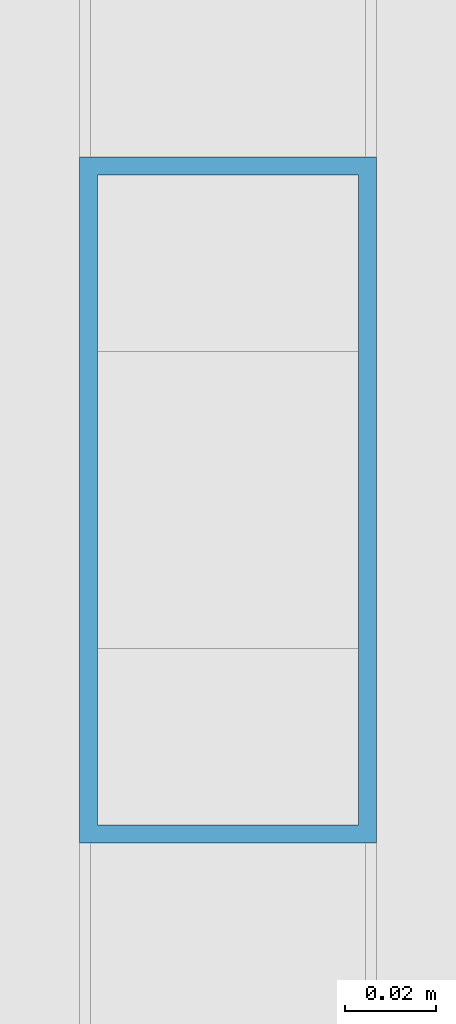
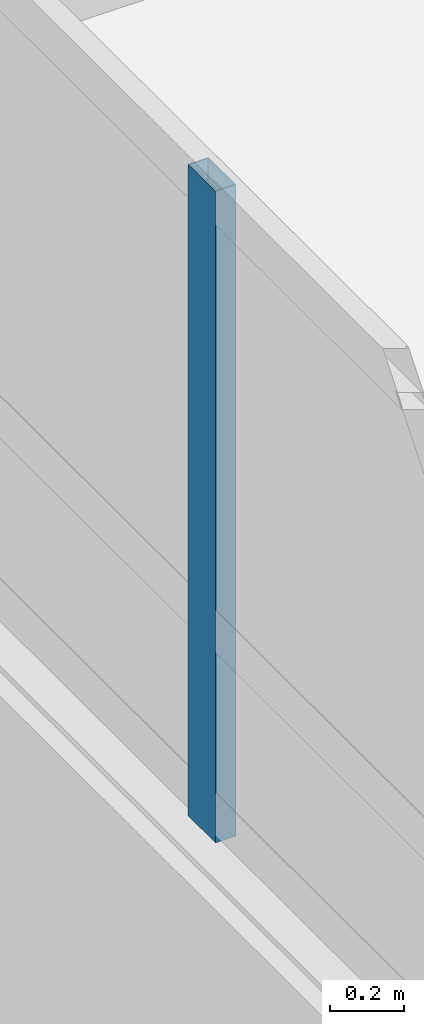
# One storey, part 43 of 130: 1 member, 1 element without a shape of its own.
"""IFC4 building model written with IfcOpenShell, lengths in metres."""

import ifcopenshell
import ifcopenshell.guid

model = None  # the IFC model being written
_history = None  # IfcOwnerHistory: only IFC2X3 demands one
_inside = {}  # id of a spatial element -> (the spatial element, [elements in it])
_under = {}  # id of a project, library or spatial element -> (it, [spatial elements below it])
_declared = {}  # id of a project -> (the project, [libraries it declares])
_typed = {}  # id of a type object -> (the type object, [elements of that type])
_made_of = {}  # id of a material, layer set ... -> (it, [elements and type objects made of it])


def new_model(schema):
    """Start an empty IFC model of exactly this schema.

    Asked for "IFC4X3", IfcOpenShell would pick the latest addendum, in which some entities
    have other attributes; the version numbers below select the first issue.
    IFC2X3 requires an IfcOwnerHistory on every rooted entity: one is made here for all.
    """
    global model, _history
    if schema == "IFC4X3":
        model = ifcopenshell.file(schema_version=(4, 3, 0, 0))
    else:
        model = ifcopenshell.file(schema=schema)
    _inside.clear()
    _under.clear()
    _declared.clear()
    _typed.clear()
    _made_of.clear()
    _history = None
    if model.schema == "IFC2X3":
        org = make("IfcOrganization", Name="unknown")
        user = make(
            "IfcPersonAndOrganization",
            ThePerson=make("IfcPerson", FamilyName="unknown"),
            TheOrganization=org,
        )
        app = make(
            "IfcApplication",
            ApplicationDeveloper=org,
            Version="unknown",
            ApplicationFullName="unknown",
            ApplicationIdentifier="unknown",
        )
        _history = make(
            "IfcOwnerHistory",
            OwningUser=user,
            OwningApplication=app,
            ChangeAction="ADDED",
            CreationDate=0,
        )
    return model


def make(cls, **values):
    """One entity of the class cls with the attributes given. An attribute that is None is left unset."""
    return model.create_entity(
        cls, **{name: value for name, value in values.items() if value is not None}
    )


def rooted(cls, **values):
    """An entity with a GlobalId (a new one), such as an element, a storey or a relation."""
    return make(cls, GlobalId=ifcopenshell.guid.new(), OwnerHistory=_history, **values)


def si_unit(unit_type, name, prefix=None):
    """IfcSIUnit, for example si_unit("LENGTHUNIT", "METRE", prefix="MILLI")."""
    return make("IfcSIUnit", UnitType=unit_type, Prefix=prefix, Name=name)


def assignment(units):
    """IfcUnitAssignment: the units of a project."""
    return None if units is None else make("IfcUnitAssignment", Units=units)


def point(xyz):
    """IfcCartesianPoint."""
    return None if xyz is None else make("IfcCartesianPoint", Coordinates=xyz)


def direction(xyz):
    """IfcDirection."""
    return None if xyz is None else make("IfcDirection", DirectionRatios=xyz)


def frame(location, z_axis=None, x_axis=None):
    """IfcAxis2Placement3D, a coordinate frame: its origin and axes. An axis left out is left unset."""
    return make(
        "IfcAxis2Placement3D",
        Location=point(location),
        Axis=direction(z_axis),
        RefDirection=direction(x_axis),
    )


def frame_2d(location, x_axis=None):
    """IfcAxis2Placement2D, a coordinate frame in the plane: its origin and x axis."""
    return make(
        "IfcAxis2Placement2D", Location=point(location), RefDirection=direction(x_axis)
    )


def origin():
    """The frame at (0, 0, 0) with its axes left unset."""
    return frame((0.0, 0.0, 0.0))


def origin_2d():
    """The frame at (0, 0) in the plane with its x axis left unset."""
    return frame_2d((0.0, 0.0))


def place(relative_to, where):
    """IfcLocalPlacement: puts the frame where relative to a parent placement (None: the world)."""
    return make(
        "IfcLocalPlacement", PlacementRelTo=relative_to, RelativePlacement=where
    )


def context(
    kind, dimensions, precision=None, world=None, true_north=None, identifier=None
):
    """IfcGeometricRepresentationContext, for example the 3D "Model" context."""
    return make(
        "IfcGeometricRepresentationContext",
        ContextIdentifier=identifier,
        ContextType=kind,
        CoordinateSpaceDimension=dimensions,
        Precision=precision,
        WorldCoordinateSystem=world,
        TrueNorth=true_north,
    )


def subcontext(parent, identifier, kind, view, scale=None):
    """IfcGeometricRepresentationSubContext, for example "Body" below "Model"."""
    return make(
        "IfcGeometricRepresentationSubContext",
        ContextIdentifier=identifier,
        ContextType=kind,
        ParentContext=parent,
        TargetScale=scale,
        TargetView=view,
    )


def project(units=None, contexts=None):
    """IfcProject with its units and contexts."""
    return rooted(
        "IfcProject",
        Name="project",
        RepresentationContexts=contexts,
        UnitsInContext=assignment(units),
    )


def spatial(cls, under=None, at=None, **own):
    """A site, building, storey or space (cls), placed at a placement, below another one or the project."""
    s = rooted(cls, ObjectPlacement=at, **own)
    if under is not None:
        _under.setdefault(under.id(), (under, []))[1].append(s)
    return s


def profile(cls, at=None, kind="AREA", **sizes):
    """A parametric profile (cls). Its sizes go by their IFC names, for example OverallWidth=200.0."""
    return make(cls, ProfileType=kind, Position=at, **sizes)


def hollow_rectangle(**sizes):
    """IfcRectangleHollowProfileDef."""
    return profile("IfcRectangleHollowProfileDef", **sizes)


def extrude(swept, where, along, depth):
    """IfcExtrudedAreaSolid: the profile swept, set in the frame where, extruded along a direction by depth."""
    return make(
        "IfcExtrudedAreaSolid",
        SweptArea=swept,
        Position=where,
        ExtrudedDirection=direction(along),
        Depth=depth,
    )


def shape(context_of_items, identifier, shape_type, items):
    """IfcShapeRepresentation: the items that make up one representation, for example the "Body"."""
    return make(
        "IfcShapeRepresentation",
        ContextOfItems=context_of_items,
        RepresentationIdentifier=identifier,
        RepresentationType=shape_type,
        Items=items,
    )


def material(Name=None, Category=None):
    """IfcMaterial."""
    return make("IfcMaterial", Name=Name, Category=Category)


def layer(
    of_material, thickness, ventilated=None, Name=None, Category=None, Priority=None
):
    """IfcMaterialLayer: one layer of a wall or slab, of a material (None: an air gap)."""
    return make(
        "IfcMaterialLayer",
        Material=of_material,
        LayerThickness=thickness,
        IsVentilated=ventilated,
        Name=Name,
        Category=Category,
        Priority=Priority,
    )


def layer_set(layers, Name=None):
    """IfcMaterialLayerSet."""
    return make("IfcMaterialLayerSet", MaterialLayers=layers, LayerSetName=Name)


def material_profile(
    of_material, cross_section, Name=None, Category=None, Priority=None
):
    """IfcMaterialProfile: a cross section and its material."""
    return make(
        "IfcMaterialProfile",
        Name=Name,
        Material=of_material,
        Profile=cross_section,
        Priority=Priority,
        Category=Category,
    )


def profile_set(profiles, Name=None, composite=None):
    """IfcMaterialProfileSet."""
    return make(
        "IfcMaterialProfileSet",
        Name=Name,
        MaterialProfiles=profiles,
        CompositeProfile=composite,
    )


def made_of(thing, what):
    """Note that an element or type object is made of a material, layer set ...; save() writes the relation."""
    if what is not None:
        _made_of.setdefault(what.id(), (what, []))[1].append(thing)
    return thing


def type_object(cls, material=None, **own):
    """A type object (cls), such as IfcWallType, which elements share."""
    return made_of(rooted(cls, **own), material)


def element(
    cls,
    number,
    at=None,
    inside=None,
    cuts=None,
    type_object=None,
    material=None,
    context=None,
    identifier="Body",
    shape_type=None,
    held_by="IfcProductDefinitionShape",
    body=None,
    shapes=None,
    **own,
):
    """One element of the class cls, such as IfcWall. Its Tag is "e" and its number.

    at: its placement. inside: the storey or other place that contains it. cuts: it is an
    opening in that element (IfcRelVoidsElement). A single representation is given by context,
    identifier, shape_type and body (its items); several are given by shapes. held_by: the class
    of the entity that holds the representations. save() writes the other relations.
    """
    e = rooted(cls, Tag="e%d" % number, ObjectPlacement=at, **own)
    if body is not None:
        shapes = [shape(context, identifier, shape_type, body)]
    if shapes is not None:
        e.Representation = make(held_by, Representations=shapes)
    if inside is not None:
        _inside.setdefault(inside.id(), (inside, []))[1].append(e)
    if cuts is not None:
        rooted(
            "IfcRelVoidsElement", RelatingBuildingElement=cuts, RelatedOpeningElement=e
        )
    if type_object is not None:
        _typed.setdefault(type_object.id(), (type_object, []))[1].append(e)
    return made_of(e, material)


def aggregate(whole, parts):
    """IfcRelAggregates: a whole, such as a stair, and the parts it consists of."""
    return rooted("IfcRelAggregates", RelatingObject=whole, RelatedObjects=parts)


def save(model, path):
    """Write the relations noted so far, then the file.

    IfcRelAggregates (storeys below a building ...), IfcRelContainedInSpatialStructure (elements
    in a storey), IfcRelDefinesByType, IfcRelAssociatesMaterial and IfcRelDeclares: one each for
    every whole, place, type object, material and project.
    """
    for whole, parts in _under.values():
        aggregate(whole, parts)
    for where, things in _inside.values():
        rooted(
            "IfcRelContainedInSpatialStructure",
            RelatedElements=things,
            RelatingStructure=where,
        )
    for kind, things in _typed.values():
        rooted("IfcRelDefinesByType", RelatedObjects=things, RelatingType=kind)
    for what, things in _made_of.values():
        rooted("IfcRelAssociatesMaterial", RelatedObjects=things, RelatingMaterial=what)
    for by, libraries in _declared.values():
        rooted("IfcRelDeclares", RelatingContext=by, RelatedDefinitions=libraries)
    model.write(path)


model = new_model("IFC4")

# Units and contexts
model_context = context("Model", 3, precision=1e-05, world=origin(), true_north=direction((0.0, 1.0)))
body_context = subcontext(model_context, "Body", "Model", "MODEL_VIEW")
ifc_project = project(units=[si_unit("LENGTHUNIT", "METRE"), si_unit("AREAUNIT", "SQUARE_METRE"), si_unit("VOLUMEUNIT", "CUBIC_METRE"), si_unit("PLANEANGLEUNIT", "RADIAN"), si_unit("MASSUNIT", "GRAM", prefix="KILO")], contexts=[model_context])

# Site, building, storey
site_placement = place(None, origin())
site = spatial("IfcSite", under=ifc_project, at=site_placement, CompositionType="ELEMENT")
building_placement = place(site_placement, origin())
building = spatial("IfcBuilding", under=site, at=building_placement, Name="Vireocrest Preparatory School", CompositionType="ELEMENT")
storey_placement = place(building_placement, frame((0.0, 0.0, 9.0)))
storey = spatial("IfcBuildingStorey", under=building, at=storey_placement, Name="L02", CompositionType="ELEMENT", Elevation=9.0)

# Curtain wall, member
ifc_material = material(Name="Thermally broken aluminium EN AW-6063-T6", Category="aluminium")
ifc_layer = layer(ifc_material, 0.179931640625)
ifc_layer_set = layer_set([ifc_layer], Name="Thermally broken aluminium EN AW-6063-T6")
curtain_wall_type = type_object("IfcCurtainWallType", Name="Court Banded Curtain Wall 8400x3000", PredefinedType="USERDEFINED", material=ifc_layer_set)
curtain_wall_placement = place(storey_placement, origin())
curtain_wall = element("IfcCurtainWall", 1, at=curtain_wall_placement, inside=storey, type_object=curtain_wall_type, Name="Curtain Wall CW02 CW_L02_CW02_0924_0693_102", ObjectType="CURTAIN WALL", PredefinedType="USERDEFINED")
ifc_material_profile = material_profile(ifc_material, hollow_rectangle(XDim=0.06494140625, YDim=0.14990234375, WallThickness=0.00390625, at=origin_2d()), Name="ALU 65x150x4")
ifc_profile_set = profile_set([ifc_material_profile], Name="Thermally broken aluminium EN AW-6063-T6")
member_type = type_object("IfcMemberType", Name="CW Mullion 65x150x4", PredefinedType="MULLION", material=ifc_profile_set)
member_placement = place(storey_placement, frame((92.39990234375, 72.427001953125, 1.14990234375), z_axis=(0.0, 0.0, 1.0), x_axis=(1.0, 0.0, 0.0)))
member = element("IfcMember", 2, at=member_placement, type_object=member_type, Name="CW Mullion ML1 CW_L02_CW02_0924_0693_102-3", PredefinedType="MULLION", context=body_context, shape_type="SweptSolid", body=[
    extrude(hollow_rectangle(XDim=0.06494140625, YDim=0.14990234375, WallThickness=0.00390625, at=origin_2d()), origin(), (0.0, 0.0, 1.0), 2.155029296875),
])
aggregate(curtain_wall, [member])

save(model, "model.ifc")
